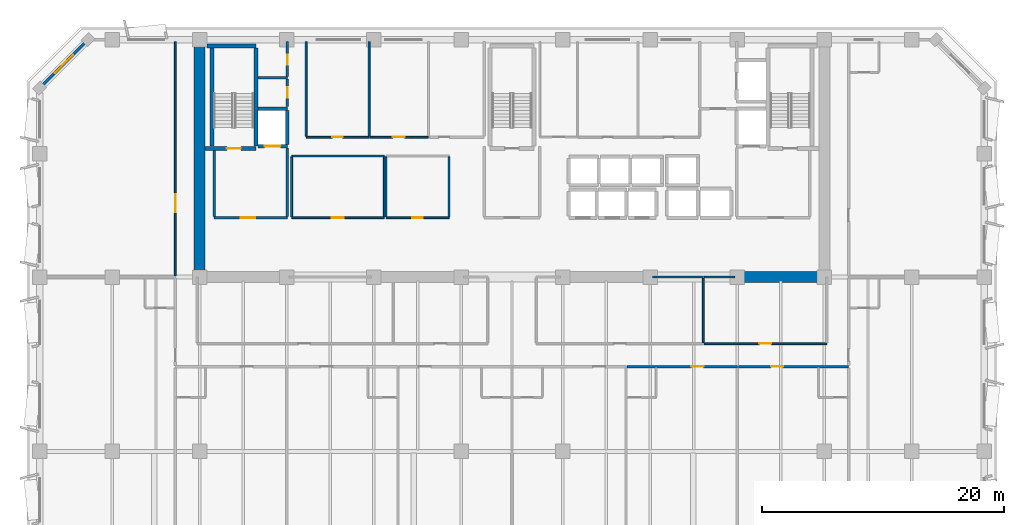
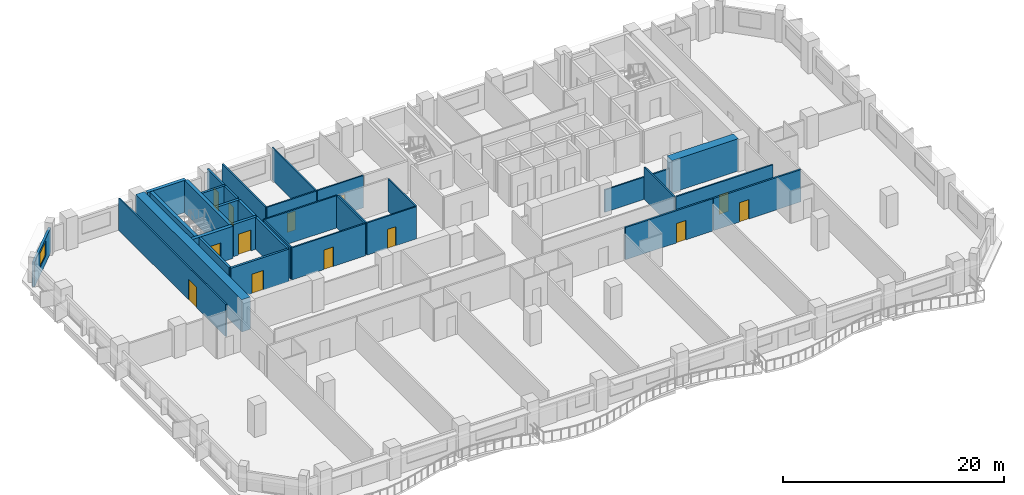
# One storey, part 6 of 14: 34 walls, 13 doors, 1 window, 14 openings.
"""IFC4 building model written with IfcOpenShell, lengths in metres."""

from ifc_helpers import new_model, si_unit, direction, frame, frame_2d, origin, place, context, subcontext, project, spatial, rectangle, extrude, material, layer, layer_set, type_object, element, fill, save


model = new_model("IFC4")

# Units and contexts
model_context = context("Model", 3, precision=1e-05, world=origin(), true_north=direction((0.0, 1.0)))
body_context = subcontext(model_context, "Body", "Model", "MODEL_VIEW")
ifc_project = project(units=[si_unit("LENGTHUNIT", "METRE"), si_unit("AREAUNIT", "SQUARE_METRE"), si_unit("VOLUMEUNIT", "CUBIC_METRE"), si_unit("PLANEANGLEUNIT", "RADIAN"), si_unit("MASSUNIT", "GRAM", prefix="KILO")], contexts=[model_context])

# Site, building, storey
site_placement = place(None, origin())
site = spatial("IfcSite", under=ifc_project, at=site_placement, CompositionType="ELEMENT")
building_placement = place(site_placement, origin())
building = spatial("IfcBuilding", under=site, at=building_placement, Name="Kaelvorn Grand Hotel", CompositionType="ELEMENT")
storey_placement = place(building_placement, frame((0.0, 0.0, 197.75)))
storey = spatial("IfcBuildingStorey", under=building, at=storey_placement, Name="L48", CompositionType="ELEMENT", Elevation=197.75)

# Walls
ifc_material_1 = material(Name="Concrete C60/75", Category="concrete")
ifc_layer_1 = layer(ifc_material_1, 0.89990234375)
ifc_layer_set_1 = layer_set([ifc_layer_1], Name="Concrete C60/75")
wall_type_1 = type_object("IfcWallType", Name="WL-CORE-900-C60", PredefinedType="SHEAR", material=ifc_layer_set_1)
wall_1_placement = place(storey_placement, frame((16.199951171875, 29.39990234375, 0.0), z_axis=(0.0, 0.0, 1.0), x_axis=(0.0, 1.0, 0.0)))
element("IfcWall", 1, at=wall_1_placement, inside=storey, type_object=wall_type_1, Name="L48 Rear-Core West Shear Wall", PredefinedType="SHEAR", context=body_context, shape_type="SweptSolid", body=[
    extrude(rectangle(XDim=19.2001953125, YDim=0.89990234375, at=frame_2d((9.60009765625, 0.0))), origin(), (0.0, 0.0, 1.0), 3.56005859375),
])
wall_2_placement = place(storey_placement, frame((60.39990234375, 29.39990234375, 0.0), z_axis=(0.0, 0.0, 1.0), x_axis=(1.0, 0.0, 0.0)))
element("IfcWall", 2, at=wall_2_placement, inside=storey, type_object=wall_type_1, Name="L48 Rear-Core Coupled Shear Pier S4", PredefinedType="SHEAR", context=body_context, shape_type="SweptSolid", body=[
    extrude(rectangle(XDim=6.945068359375, YDim=0.89990234375, at=frame_2d((3.47265625, 0.0))), origin(), (0.0, 0.0, 1.0), 3.56005859375),
])

# Wall, opening, window
ifc_material_2 = material(Name="Concrete C40/50", Category="concrete")
ifc_layer_2 = layer(ifc_material_2, 0.239990234375)
ifc_layer_set_2 = layer_set([ifc_layer_2], Name="Concrete C40/50")
wall_type_2 = type_object("IfcWallType", Name="WL-EXT-240-C40", PredefinedType="SOLIDWALL", material=ifc_layer_set_2)
wall_3_placement = place(storey_placement, frame((7.0, 49.0, 0.0), z_axis=(0.0, 0.0, 1.0), x_axis=(-0.707106781187, -0.707106781187, 0.0)))
wall_3 = element("IfcWall", 3, at=wall_3_placement, inside=storey, type_object=wall_type_2, Name="L48 Exterior Architectural Concrete Wall 06", PredefinedType="SOLIDWALL", context=body_context, shape_type="SweptSolid", body=[
    extrude(rectangle(XDim=5.65673828125, YDim=0.239990234375, at=frame_2d((2.828369140625, 0.0))), origin(), (0.0, 0.0, 1.0), 2.760009765625),
])
opening_1_placement = place(wall_3_placement, frame((1.7783203125, 0.0, 0.85009765625)))
opening_1 = element("IfcOpeningElement", 4, at=opening_1_placement, cuts=wall_3, Name="Opening W7", PredefinedType="OPENING", context=body_context, shape_type="SweptSolid", body=[
    extrude(rectangle(XDim=2.10009765625, YDim=1.60009765625, at=frame_2d((1.050048828125, 0.800048828125))), frame((0.0, 0.1298828125, 0.0), z_axis=(0.0, -1.0, 0.0), x_axis=(1.0, 0.0, 0.0)), (0.0, 0.0, 1.0), 0.260009765625),
])
ifc_material_3 = material(Name="Laminated Low-E Glass", Category="glass")
window_type = type_object("IfcWindowType", Name="WIN-CHM-2100x1600", PartitioningType="SINGLE_PANEL", PredefinedType="WINDOW", material=ifc_material_3)
window_placement = place(opening_1_placement, origin())
window = element("IfcWindow", 5, at=window_placement, inside=storey, type_object=window_type, Name="L48 Chamfered 45-Degree Corner Window NW", OverallHeight=1.60009765625, OverallWidth=2.10009765625, PartitioningType="SINGLE_PANEL", PredefinedType="WINDOW", context=body_context, shape_type="SweptSolid", body=[
    extrude(rectangle(XDim=2.10009765625, YDim=1.60009765625, at=frame_2d((1.050048828125, 0.800048828125))), frame((0.0, 0.030029296875, 0.0), z_axis=(0.0, -1.0, 0.0), x_axis=(1.0, 0.0, 0.0)), (0.0, 0.0, 1.0), 0.06005859375),
])
fill(opening_1, window)

# Wall, opening, door
ifc_material_4 = material(Name="Acoustic Gypsum & Stud Partition")
ifc_layer_3 = layer(ifc_material_4, 0.14990234375)
ifc_layer_set_3 = layer_set([ifc_layer_3], Name="Acoustic Gypsum & Stud Partition")
wall_type_3 = type_object("IfcWallType", Name="WL-PART-150-EI60", PredefinedType="PARTITIONING", material=ifc_layer_set_3)
wall_4_placement = place(storey_placement, frame((31.60009765625, 34.300048828125, 0.0), z_axis=(0.0, 0.0, 1.0), x_axis=(1.0, 0.0, 0.0)))
wall_4 = element("IfcWall", 6, at=wall_4_placement, inside=storey, type_object=wall_type_3, Name="L48 Core Telecoms & BMS Server Room S Partition", PredefinedType="PARTITIONING", context=body_context, shape_type="SweptSolid", body=[
    extrude(rectangle(XDim=5.199951171875, YDim=0.14990234375, at=frame_2d((2.60009765625, 0.0))), origin(), (0.0, 0.0, 1.0), 3.56005859375),
])
opening_2_placement = place(wall_4_placement, frame((2.175048828125, 0.0, 0.0)))
opening_2 = element("IfcOpeningElement", 7, at=opening_2_placement, cuts=wall_4, Name="Opening DI7", PredefinedType="OPENING", context=body_context, shape_type="SweptSolid", body=[
    extrude(rectangle(XDim=0.85009765625, YDim=2.10009765625, at=frame_2d((0.425048828125, 1.050048828125))), frame((0.0, 0.0849609375, 0.0), z_axis=(0.0, -1.0, 0.0), x_axis=(1.0, 0.0, 0.0)), (0.0, 0.0, 1.0), 0.169921875),
])
ifc_material_5 = material(Name="Powder-Coated Steel Leaf", Category="steel")
door_type_1 = type_object("IfcDoorType", Name="DR-INT-RISER-850x2100", OperationType="NOTDEFINED", PredefinedType="DOOR", material=ifc_material_5)
door_1_placement = place(opening_2_placement, origin())
door_1 = element("IfcDoor", 8, at=door_1_placement, inside=storey, type_object=door_type_1, Name="L48 Core Telecoms & BMS Server Room Door", OperationType="SINGLE_SWING_LEFT", OverallHeight=2.10009765625, OverallWidth=0.85009765625, PredefinedType="DOOR", context=body_context, shape_type="SweptSolid", body=[
    extrude(rectangle(XDim=0.85009765625, YDim=2.10009765625, at=frame_2d((0.425048828125, 1.050048828125))), frame((0.0, 0.02490234375, 0.0), z_axis=(0.0, -1.0, 0.0), x_axis=(1.0, 0.0, 0.0)), (0.0, 0.0, 1.0), 0.050048828125),
])
fill(opening_2, door_1)

# Walls
for number, where, z_axis, x_axis, name in (
    (9, (31.60009765625, 34.3798828125, 0.0), (0.0, 0.0, 1.0), (0.0, 1.0, 0.0), "L48 Core Telecoms & BMS Server Room W Partition"),
    (10, (36.800048828125, 34.3798828125, 0.0), (0.0, 0.0, 1.0), (0.0, 1.0, 0.0), "L48 Core Telecoms & BMS Server Room E Partition"),
):
    element("IfcWall", number, at=place(storey_placement, frame(where, z_axis=z_axis, x_axis=x_axis)), inside=storey, type_object=wall_type_3, Name=name, PredefinedType="PARTITIONING", context=body_context, shape_type="SweptSolid", body=[
        extrude(rectangle(XDim=4.940185546875, YDim=0.14990234375, at=frame_2d((2.47021484375, 0.0))), origin(), (0.0, 0.0, 1.0), 3.56005859375),
    ])

# Wall, opening, door
wall_5_placement = place(storey_placement, frame((23.800048828125, 34.300048828125, 0.0), z_axis=(0.0, 0.0, 1.0), x_axis=(1.0, 0.0, 0.0)))
wall_5 = element("IfcWall", 11, at=wall_5_placement, inside=storey, type_object=wall_type_3, Name="L48 Executive Club Sitting Lounge S Partition", PredefinedType="PARTITIONING", context=body_context, shape_type="SweptSolid", body=[
    extrude(rectangle(XDim=7.64990234375, YDim=0.14990234375, at=frame_2d((3.824951171875, 0.0))), origin(), (0.0, 0.0, 1.0), 3.56005859375),
])
opening_3_placement = place(wall_5_placement, frame((3.300048828125, 0.0, 0.0)))
opening_3 = element("IfcOpeningElement", 12, at=opening_3_placement, cuts=wall_5, Name="Opening DI3", PredefinedType="OPENING", context=body_context, shape_type="SweptSolid", body=[
    extrude(rectangle(XDim=1.0, YDim=2.14990234375, at=frame_2d((0.5, 1.074951171875))), frame((0.0, 0.0849609375, 0.0), z_axis=(0.0, -1.0, 0.0), x_axis=(1.0, 0.0, 0.0)), (0.0, 0.0, 1.0), 0.169921875),
])
ifc_material_6 = material(Name="Timber Veneer Fire Leaf", Category="wood")
door_type_2 = type_object("IfcDoorType", Name="DR-INT-GUEST-1000x2150", OperationType="NOTDEFINED", PredefinedType="DOOR", material=ifc_material_6)
door_2_placement = place(opening_3_placement, origin())
door_2 = element("IfcDoor", 13, at=door_2_placement, inside=storey, type_object=door_type_2, Name="L48 Executive Club Sitting Lounge Door", OperationType="SINGLE_SWING_RIGHT", OverallHeight=2.14990234375, OverallWidth=1.0, PredefinedType="DOOR", context=body_context, shape_type="SweptSolid", body=[
    extrude(rectangle(XDim=1.0, YDim=2.14990234375, at=frame_2d((0.5, 1.074951171875))), frame((0.0, 0.02490234375, 0.0), z_axis=(0.0, -1.0, 0.0), x_axis=(1.0, 0.0, 0.0)), (0.0, 0.0, 1.0), 0.050048828125),
])
fill(opening_3, door_2)

# Walls
wall_6_placement = place(storey_placement, frame((23.800048828125, 39.39990234375, 0.0), z_axis=(0.0, 0.0, 1.0), x_axis=(1.0, 0.0, 0.0)))
element("IfcWall", 14, at=wall_6_placement, inside=storey, type_object=wall_type_3, Name="L48 Executive Club Sitting Lounge N Partition", PredefinedType="PARTITIONING", context=body_context, shape_type="SweptSolid", body=[
    extrude(rectangle(XDim=7.64990234375, YDim=0.14990234375, at=frame_2d((3.824951171875, 0.0))), origin(), (0.0, 0.0, 1.0), 3.56005859375),
])
for number, where, z_axis, x_axis, name in (
    (15, (23.800048828125, 34.3798828125, 0.0), (0.0, 0.0, 1.0), (0.0, 1.0, 0.0), "L48 Executive Club Sitting Lounge W Partition"),
    (16, (31.449951171875, 34.3798828125, 0.0), (0.0, 0.0, 1.0), (0.0, 1.0, 0.0), "L48 Executive Club Sitting Lounge E Partition"),
):
    element("IfcWall", number, at=place(storey_placement, frame(where, z_axis=z_axis, x_axis=x_axis)), inside=storey, type_object=wall_type_3, Name=name, PredefinedType="PARTITIONING", context=body_context, shape_type="SweptSolid", body=[
        extrude(rectangle(XDim=4.940185546875, YDim=0.14990234375, at=frame_2d((2.47021484375, 0.0))), origin(), (0.0, 0.0, 1.0), 3.56005859375),
    ])

# Wall, opening, door
wall_7_placement = place(storey_placement, frame((25.0, 40.949951171875, 0.0), z_axis=(0.0, 0.0, 1.0), x_axis=(1.0, 0.0, 0.0)))
wall_7 = element("IfcWall", 17, at=wall_7_placement, inside=storey, type_object=wall_type_3, Name="L48 Housekeeping & Linen Room S Partition", PredefinedType="PARTITIONING", context=body_context, shape_type="SweptSolid", body=[
    extrude(rectangle(XDim=5.199951171875, YDim=0.14990234375, at=frame_2d((2.60009765625, 0.0))), origin(), (0.0, 0.0, 1.0), 3.56005859375),
])
opening_4_placement = place(wall_7_placement, frame((2.175048828125, 0.0, 0.0)))
opening_4 = element("IfcOpeningElement", 18, at=opening_4_placement, cuts=wall_7, Name="Opening DI7", PredefinedType="OPENING", context=body_context, shape_type="SweptSolid", body=[
    extrude(rectangle(XDim=0.85009765625, YDim=2.10009765625, at=frame_2d((0.425048828125, 1.050048828125))), frame((0.0, 0.0849609375, 0.0), z_axis=(0.0, -1.0, 0.0), x_axis=(1.0, 0.0, 0.0)), (0.0, 0.0, 1.0), 0.169921875),
])
door_3_placement = place(opening_4_placement, origin())
door_3 = element("IfcDoor", 19, at=door_3_placement, inside=storey, type_object=door_type_1, Name="L48 Housekeeping & Linen Room Door", OperationType="SINGLE_SWING_LEFT", OverallHeight=2.10009765625, OverallWidth=0.85009765625, PredefinedType="DOOR", context=body_context, shape_type="SweptSolid", body=[
    extrude(rectangle(XDim=0.85009765625, YDim=2.10009765625, at=frame_2d((0.425048828125, 1.050048828125))), frame((0.0, 0.02490234375, 0.0), z_axis=(0.0, -1.0, 0.0), x_axis=(1.0, 0.0, 0.0)), (0.0, 0.0, 1.0), 0.050048828125),
])
fill(opening_4, door_3)

# Walls
for number, where, z_axis, x_axis, name in (
    (20, (25.0, 41.030029296875, 0.0), (0.0, 0.0, 1.0), (0.0, 1.0, 0.0), "L48 Housekeeping & Linen Room W Partition"),
    (21, (30.199951171875, 41.030029296875, 0.0), (0.0, 0.0, 1.0), (0.0, 1.0, 0.0), "L48 Housekeeping & Linen Room E Partition"),
):
    element("IfcWall", number, at=place(storey_placement, frame(where, z_axis=z_axis, x_axis=x_axis)), inside=storey, type_object=wall_type_3, Name=name, PredefinedType="PARTITIONING", context=body_context, shape_type="SweptSolid", body=[
        extrude(rectangle(XDim=7.820068359375, YDim=0.14990234375, at=frame_2d((3.91015625, 0.0))), origin(), (0.0, 0.0, 1.0), 3.56005859375),
    ])

# Wall, opening, door
wall_8_placement = place(storey_placement, frame((30.280029296875, 40.949951171875, 0.0), z_axis=(0.0, 0.0, 1.0), x_axis=(1.0, 0.0, 0.0)))
wall_8 = element("IfcWall", 22, at=wall_8_placement, inside=storey, type_object=wall_type_3, Name="L48 Room Service Servery Pantry S Partition", PredefinedType="PARTITIONING", context=body_context, shape_type="SweptSolid", body=[
    extrude(rectangle(XDim=4.820068359375, YDim=0.14990234375, at=frame_2d((2.41015625, 0.0))), origin(), (0.0, 0.0, 1.0), 3.56005859375),
])
opening_5_placement = place(wall_8_placement, frame((1.8701171875, 0.0, 0.0)))
opening_5 = element("IfcOpeningElement", 23, at=opening_5_placement, cuts=wall_8, Name="Opening DI3", PredefinedType="OPENING", context=body_context, shape_type="SweptSolid", body=[
    extrude(rectangle(XDim=1.0, YDim=2.14990234375, at=frame_2d((0.5, 1.074951171875))), frame((0.0, 0.0849609375, 0.0), z_axis=(0.0, -1.0, 0.0), x_axis=(1.0, 0.0, 0.0)), (0.0, 0.0, 1.0), 0.169921875),
])
door_4_placement = place(opening_5_placement, origin())
door_4 = element("IfcDoor", 24, at=door_4_placement, inside=storey, type_object=door_type_2, Name="L48 Room Service Servery Pantry Door", OperationType="SINGLE_SWING_RIGHT", OverallHeight=2.14990234375, OverallWidth=1.0, PredefinedType="DOOR", context=body_context, shape_type="SweptSolid", body=[
    extrude(rectangle(XDim=1.0, YDim=2.14990234375, at=frame_2d((0.5, 1.074951171875))), frame((0.0, 0.02490234375, 0.0), z_axis=(0.0, -1.0, 0.0), x_axis=(1.0, 0.0, 0.0)), (0.0, 0.0, 1.0), 0.050048828125),
])
fill(opening_5, door_4)

# Walls
wall_9_placement = place(storey_placement, frame((53.610107421875, 29.39990234375, 0.0), z_axis=(0.0, 0.0, 1.0), x_axis=(1.0, 0.0, 0.0)))
element("IfcWall", 25, at=wall_9_placement, inside=storey, type_object=wall_type_3, Name="L48 Family Sitting Room N Partition (2)", PredefinedType="PARTITIONING", context=body_context, shape_type="SweptSolid", body=[
    extrude(rectangle(XDim=4.18994140625, YDim=0.14990234375, at=frame_2d((2.094970703125, 0.0))), origin(), (0.0, 0.0, 1.0), 2.4599609375),
])
wall_10_placement = place(storey_placement, frame((57.800048828125, 23.97998046875, 0.0), z_axis=(0.0, 0.0, 1.0), x_axis=(0.0, 1.0, 0.0)))
element("IfcWall", 26, at=wall_10_placement, inside=storey, type_object=wall_type_3, Name="L48 Family Sitting Room E Partition", PredefinedType="PARTITIONING", context=body_context, shape_type="SweptSolid", body=[
    extrude(rectangle(XDim=5.340087890625, YDim=0.14990234375, at=frame_2d((2.669921875, 0.0))), origin(), (0.0, 0.0, 1.0), 3.56005859375),
])

# Wall, opening, door
wall_11_placement = place(storey_placement, frame((57.8798828125, 23.89990234375, 0.0), z_axis=(0.0, 0.0, 1.0), x_axis=(1.0, 0.0, 0.0)))
wall_11 = element("IfcWall", 27, at=wall_11_placement, inside=storey, type_object=wall_type_3, Name="L48 VIP Dining Restaurant S Partition", PredefinedType="PARTITIONING", context=body_context, shape_type="SweptSolid", body=[
    extrude(rectangle(XDim=10.1201171875, YDim=0.14990234375, at=frame_2d((5.06005859375, 0.0))), origin(), (0.0, 0.0, 1.0), 3.56005859375),
])
opening_6_placement = place(wall_11_placement, frame((4.52001953125, 0.0, 0.0)))
opening_6 = element("IfcOpeningElement", 28, at=opening_6_placement, cuts=wall_11, Name="Opening DI3", PredefinedType="OPENING", context=body_context, shape_type="SweptSolid", body=[
    extrude(rectangle(XDim=1.0, YDim=2.14990234375, at=frame_2d((0.5, 1.074951171875))), frame((0.0, 0.0849609375, 0.0), z_axis=(0.0, -1.0, 0.0), x_axis=(1.0, 0.0, 0.0)), (0.0, 0.0, 1.0), 0.169921875),
])
door_5_placement = place(opening_6_placement, origin())
door_5 = element("IfcDoor", 29, at=door_5_placement, inside=storey, type_object=door_type_2, Name="L48 VIP Dining Restaurant Door", OperationType="SINGLE_SWING_RIGHT", OverallHeight=2.14990234375, OverallWidth=1.0, PredefinedType="DOOR", context=body_context, shape_type="SweptSolid", body=[
    extrude(rectangle(XDim=1.0, YDim=2.14990234375, at=frame_2d((0.5, 1.074951171875))), frame((0.0, 0.02490234375, 0.0), z_axis=(0.0, -1.0, 0.0), x_axis=(1.0, 0.0, 0.0)), (0.0, 0.0, 1.0), 0.050048828125),
])
fill(opening_6, door_5)

# Wall
wall_12_placement = place(storey_placement, frame((57.8798828125, 29.39990234375, 0.0), z_axis=(0.0, 0.0, 1.0), x_axis=(1.0, 0.0, 0.0)))
element("IfcWall", 30, at=wall_12_placement, inside=storey, type_object=wall_type_3, Name="L48 VIP Dining Restaurant N Partition", PredefinedType="PARTITIONING", context=body_context, shape_type="SweptSolid", body=[
    extrude(rectangle(XDim=2.510009765625, YDim=0.14990234375, at=frame_2d((1.2548828125, 0.0))), origin(), (0.0, 0.0, 1.0), 2.4599609375),
])

# Wall, opening, door
wall_13_placement = place(storey_placement, frame((14.199951171875, 29.4951171875, 0.0), z_axis=(0.0, 0.0, 1.0), x_axis=(0.0, 1.0, 0.0)))
wall_13 = element("IfcWall", 31, at=wall_13_placement, inside=storey, type_object=wall_type_3, Name="L48 North-West Family Sitting Room E Partition", PredefinedType="PARTITIONING", context=body_context, shape_type="SweptSolid", body=[
    extrude(rectangle(XDim=19.35498046875, YDim=0.14990234375, at=frame_2d((9.677490234375, 0.0))), origin(), (0.0, 0.0, 1.0), 3.56005859375),
])
opening_7_placement = place(wall_13_placement, frame((5.2548828125, 0.0, 0.0)))
opening_7 = element("IfcOpeningElement", 32, at=opening_7_placement, cuts=wall_13, Name="Opening DI5", PredefinedType="OPENING", context=body_context, shape_type="SweptSolid", body=[
    extrude(rectangle(XDim=1.5, YDim=2.25, at=frame_2d((0.75, 1.125))), frame((0.0, 0.0849609375, 0.0), z_axis=(0.0, -1.0, 0.0), x_axis=(1.0, 0.0, 0.0)), (0.0, 0.0, 1.0), 0.169921875),
])
door_type_3 = type_object("IfcDoorType", Name="DR-INT-SALON-1500x2250", OperationType="DOUBLE_DOOR_SINGLE_SWING", PredefinedType="DOOR", material=ifc_material_6)
door_6_placement = place(opening_7_placement, origin())
door_6 = element("IfcDoor", 33, at=door_6_placement, inside=storey, type_object=door_type_3, Name="L48 North-West Family Sitting Room Door", OperationType="DOUBLE_DOOR_SINGLE_SWING", OverallHeight=2.25, OverallWidth=1.5, PredefinedType="DOOR", context=body_context, shape_type="SweptSolid", body=[
    extrude(rectangle(XDim=1.5, YDim=2.25, at=frame_2d((0.75, 1.125))), frame((0.0, 0.02490234375, 0.0), z_axis=(0.0, -1.0, 0.0), x_axis=(1.0, 0.0, 0.0)), (0.0, 0.0, 1.0), 0.050048828125),
])
fill(opening_7, door_6)

ifc_layer_4 = layer(ifc_material_4, 0.179931640625)
ifc_layer_set_4 = layer_set([ifc_layer_4], Name="Acoustic Gypsum & Stud Partition")
wall_type_4 = type_object("IfcWallType", Name="WL-PART-180-EI60", PredefinedType="PARTITIONING", material=ifc_layer_set_4)
wall_14_placement = place(storey_placement, frame((51.504150390625, 22.0, 0.0), z_axis=(0.0, 0.0, 1.0), x_axis=(1.0, 0.0, 0.0)))
wall_14 = element("IfcWall", 34, at=wall_14_placement, inside=storey, type_object=wall_type_4, Name="L48 Mid-Rise Signature Suite L48-05 N Partition", PredefinedType="PARTITIONING", context=body_context, shape_type="SweptSolid", body=[
    extrude(rectangle(XDim=9.100341796875, YDim=0.179931640625, at=frame_2d((4.55029296875, 0.0))), origin(), (0.0, 0.0, 1.0), 3.56005859375),
])
opening_8_placement = place(wall_14_placement, frame((5.310302734375, 0.0, 0.0)))
opening_8 = element("IfcOpeningElement", 35, at=opening_8_placement, cuts=wall_14, Name="Opening DI3", PredefinedType="OPENING", context=body_context, shape_type="SweptSolid", body=[
    extrude(rectangle(XDim=1.0, YDim=2.14990234375, at=frame_2d((0.5, 1.074951171875))), frame((0.0, 0.10009765625, 0.0), z_axis=(0.0, -1.0, 0.0), x_axis=(1.0, 0.0, 0.0)), (0.0, 0.0, 1.0), 0.199951171875),
])
door_7_placement = place(opening_8_placement, origin())
door_7 = element("IfcDoor", 36, at=door_7_placement, inside=storey, type_object=door_type_2, Name="L48 Mid-Rise Signature Suite L48-05 Door", OperationType="SINGLE_SWING_LEFT", OverallHeight=2.14990234375, OverallWidth=1.0, PredefinedType="DOOR", context=body_context, shape_type="SweptSolid", body=[
    extrude(rectangle(XDim=1.0, YDim=2.14990234375, at=frame_2d((0.5, 1.074951171875))), frame((0.0, 0.02490234375, 0.0), z_axis=(0.0, -1.0, 0.0), x_axis=(1.0, 0.0, 0.0)), (0.0, 0.0, 1.0), 0.050048828125),
])
fill(opening_8, door_7)

wall_15_placement = place(storey_placement, frame((60.69970703125, 22.0, 0.0), z_axis=(0.0, 0.0, 1.0), x_axis=(1.0, 0.0, 0.0)))
wall_15 = element("IfcWall", 37, at=wall_15_placement, inside=storey, type_object=wall_type_4, Name="L48 Mid-Rise Signature Suite L48-06 N Partition", PredefinedType="PARTITIONING", context=body_context, shape_type="SweptSolid", body=[
    extrude(rectangle(XDim=9.100341796875, YDim=0.179931640625, at=frame_2d((4.55029296875, 0.0))), origin(), (0.0, 0.0, 1.0), 3.56005859375),
])
opening_9_placement = place(wall_15_placement, frame((2.6904296875, 0.0, 0.0)))
opening_9 = element("IfcOpeningElement", 38, at=opening_9_placement, cuts=wall_15, Name="Opening DI3", PredefinedType="OPENING", context=body_context, shape_type="SweptSolid", body=[
    extrude(rectangle(XDim=1.0, YDim=2.14990234375, at=frame_2d((0.5, 1.074951171875))), frame((0.0, 0.10009765625, 0.0), z_axis=(0.0, -1.0, 0.0), x_axis=(1.0, 0.0, 0.0)), (0.0, 0.0, 1.0), 0.199951171875),
])
door_8_placement = place(opening_9_placement, origin())
door_8 = element("IfcDoor", 39, at=door_8_placement, inside=storey, type_object=door_type_2, Name="L48 Mid-Rise Signature Suite L48-06 Door", OperationType="SINGLE_SWING_LEFT", OverallHeight=2.14990234375, OverallWidth=1.0, PredefinedType="DOOR", context=body_context, shape_type="SweptSolid", body=[
    extrude(rectangle(XDim=1.0, YDim=2.14990234375, at=frame_2d((0.5, 1.074951171875))), frame((0.0, 0.02490234375, 0.0), z_axis=(0.0, -1.0, 0.0), x_axis=(1.0, 0.0, 0.0)), (0.0, 0.0, 1.0), 0.050048828125),
])
fill(opening_9, door_8)

ifc_layer_5 = layer(ifc_material_2, 0.219970703125)
ifc_layer_set_5 = layer_set([ifc_layer_5], Name="Concrete C40/50")
wall_type_5 = type_object("IfcWallType", Name="WL-PART-220-EI120", PredefinedType="PARTITIONING", material=ifc_layer_set_5)
wall_16_placement = place(storey_placement, frame((17.39990234375, 34.300048828125, 0.0), z_axis=(0.0, 0.0, 1.0), x_axis=(1.0, 0.0, 0.0)))
wall_16 = element("IfcWall", 40, at=wall_16_placement, inside=storey, type_object=wall_type_5, Name="L48 Firefighting Lift Lobby 1 S Partition", PredefinedType="PARTITIONING", context=body_context, shape_type="SweptSolid", body=[
    extrude(rectangle(XDim=6.050048828125, YDim=0.219970703125, at=frame_2d((3.02490234375, 0.0))), origin(), (0.0, 0.0, 1.0), 3.56005859375),
])
opening_10_placement = place(wall_16_placement, frame((2.199951171875, 0.0, 0.0)))
opening_10 = element("IfcOpeningElement", 41, at=opening_10_placement, cuts=wall_16, Name="Opening DI2", PredefinedType="OPENING", context=body_context, shape_type="SweptSolid", body=[
    extrude(rectangle(XDim=1.199951171875, YDim=2.14990234375, at=frame_2d((0.60009765625, 1.074951171875))), frame((0.0, 0.1201171875, 0.0), z_axis=(0.0, -1.0, 0.0), x_axis=(1.0, 0.0, 0.0)), (0.0, 0.0, 1.0), 0.239990234375),
])
door_type_4 = type_object("IfcDoorType", Name="DR-INT-FFLOB-1200x2150", OperationType="NOTDEFINED", PredefinedType="DOOR", material=ifc_material_6)
door_9_placement = place(opening_10_placement, origin())
door_9 = element("IfcDoor", 42, at=door_9_placement, inside=storey, type_object=door_type_4, Name="L48 Firefighting Lift Lobby 1 Door", OperationType="SINGLE_SWING_LEFT", OverallHeight=2.14990234375, OverallWidth=1.199951171875, PredefinedType="DOOR", context=body_context, shape_type="SweptSolid", body=[
    extrude(rectangle(XDim=1.199951171875, YDim=2.14990234375, at=frame_2d((0.60009765625, 1.074951171875))), frame((0.0, 0.02490234375, 0.0), z_axis=(0.0, -1.0, 0.0), x_axis=(1.0, 0.0, 0.0)), (0.0, 0.0, 1.0), 0.050048828125),
])
fill(opening_10, door_9)

# Walls
wall_17_placement = place(storey_placement, frame((17.39990234375, 34.4150390625, 0.0), z_axis=(0.0, 0.0, 1.0), x_axis=(0.0, 1.0, 0.0)))
element("IfcWall", 43, at=wall_17_placement, inside=storey, type_object=wall_type_5, Name="L48 Firefighting Lift Lobby 1 W Partition", PredefinedType="PARTITIONING", context=body_context, shape_type="SweptSolid", body=[
    extrude(rectangle(XDim=5.429931640625, YDim=0.219970703125, at=frame_2d((2.71484375, 0.0))), origin(), (0.0, 0.0, 1.0), 3.56005859375),
])
wall_18_placement = place(storey_placement, frame((23.449951171875, 34.4150390625, 0.0), z_axis=(0.0, 0.0, 1.0), x_axis=(0.0, 1.0, 0.0)))
element("IfcWall", 44, at=wall_18_placement, inside=storey, type_object=wall_type_5, Name="L48 Firefighting Lift Lobby 1 E Partition", PredefinedType="PARTITIONING", context=body_context, shape_type="SweptSolid", body=[
    extrude(rectangle(XDim=5.639892578125, YDim=0.219970703125, at=frame_2d((2.81982421875, 0.0))), origin(), (0.0, 0.0, 1.0), 3.56005859375),
])
wall_19_placement = place(storey_placement, frame((21.034912109375, 45.85009765625, 0.0), z_axis=(0.0, 0.0, 1.0), x_axis=(1.0, 0.0, 0.0)))
element("IfcWall", 45, at=wall_19_placement, inside=storey, type_object=wall_type_5, Name="L48 Wet Fire & Plumbing Riser Shaft N Partition", PredefinedType="PARTITIONING", context=body_context, shape_type="SweptSolid", body=[
    extrude(rectangle(XDim=2.4150390625, YDim=0.219970703125, at=frame_2d((1.20751953125, 0.0))), origin(), (0.0, 0.0, 1.0), 3.56005859375),
])

# Wall, opening, door
wall_20_placement = place(storey_placement, frame((23.449951171875, 43.5, 0.0), z_axis=(0.0, 0.0, 1.0), x_axis=(0.0, 1.0, 0.0)))
wall_20 = element("IfcWall", 46, at=wall_20_placement, inside=storey, type_object=wall_type_5, Name="L48 Wet Fire & Plumbing Riser Shaft E Partition", PredefinedType="PARTITIONING", context=body_context, shape_type="SweptSolid", body=[
    extrude(rectangle(XDim=2.235107421875, YDim=0.219970703125, at=frame_2d((1.11767578125, 0.0))), origin(), (0.0, 0.0, 1.0), 3.56005859375),
])
opening_11_placement = place(wall_20_placement, frame((0.72509765625, 0.0, 0.0)))
opening_11 = element("IfcOpeningElement", 47, at=opening_11_placement, cuts=wall_20, Name="Opening DI7", PredefinedType="OPENING", context=body_context, shape_type="SweptSolid", body=[
    extrude(rectangle(XDim=0.85009765625, YDim=2.10009765625, at=frame_2d((0.425048828125, 1.050048828125))), frame((0.0, 0.1201171875, 0.0), z_axis=(0.0, -1.0, 0.0), x_axis=(1.0, 0.0, 0.0)), (0.0, 0.0, 1.0), 0.239990234375),
])
door_10_placement = place(opening_11_placement, origin())
door_10 = element("IfcDoor", 48, at=door_10_placement, inside=storey, type_object=door_type_1, Name="L48 Wet Fire & Plumbing Riser Shaft Door", OperationType="SINGLE_SWING_LEFT", OverallHeight=2.10009765625, OverallWidth=0.85009765625, PredefinedType="DOOR", context=body_context, shape_type="SweptSolid", body=[
    extrude(rectangle(XDim=0.85009765625, YDim=2.10009765625, at=frame_2d((0.425048828125, 1.050048828125))), frame((0.0, 0.02490234375, 0.0), z_axis=(0.0, -1.0, 0.0), x_axis=(1.0, 0.0, 0.0)), (0.0, 0.0, 1.0), 0.050048828125),
])
fill(opening_11, door_10)

wall_21_placement = place(storey_placement, frame((23.449951171875, 45.965087890625, 0.0), z_axis=(0.0, 0.0, 1.0), x_axis=(0.0, 1.0, 0.0)))
wall_21 = element("IfcWall", 49, at=wall_21_placement, inside=storey, type_object=wall_type_5, Name="L48 HV Electrical & Smoke Riser E Partition", PredefinedType="PARTITIONING", context=body_context, shape_type="SweptSolid", body=[
    extrude(rectangle(XDim=2.885009765625, YDim=0.219970703125, at=frame_2d((1.4423828125, 0.0))), origin(), (0.0, 0.0, 1.0), 3.56005859375),
])
opening_12_placement = place(wall_21_placement, frame((0.9599609375, 0.0, 0.0)))
opening_12 = element("IfcOpeningElement", 50, at=opening_12_placement, cuts=wall_21, Name="Opening DI7", PredefinedType="OPENING", context=body_context, shape_type="SweptSolid", body=[
    extrude(rectangle(XDim=0.85009765625, YDim=2.10009765625, at=frame_2d((0.425048828125, 1.050048828125))), frame((0.0, 0.1201171875, 0.0), z_axis=(0.0, -1.0, 0.0), x_axis=(1.0, 0.0, 0.0)), (0.0, 0.0, 1.0), 0.239990234375),
])
door_11_placement = place(opening_12_placement, origin())
door_11 = element("IfcDoor", 51, at=door_11_placement, inside=storey, type_object=door_type_1, Name="L48 HV Electrical & Smoke Riser Door", OperationType="SINGLE_SWING_RIGHT", OverallHeight=2.10009765625, OverallWidth=0.85009765625, PredefinedType="DOOR", context=body_context, shape_type="SweptSolid", body=[
    extrude(rectangle(XDim=0.85009765625, YDim=2.10009765625, at=frame_2d((0.425048828125, 1.050048828125))), frame((0.0, 0.02490234375, 0.0), z_axis=(0.0, -1.0, 0.0), x_axis=(1.0, 0.0, 0.0)), (0.0, 0.0, 1.0), 0.050048828125),
])
fill(opening_12, door_11)

ifc_material_7 = material(Name="Concrete C50/60", Category="concrete")
ifc_layer_6 = layer(ifc_material_7, 0.280029296875)
ifc_layer_set_6 = layer_set([ifc_layer_6], Name="Concrete C50/60")
wall_type_6 = type_object("IfcWallType", Name="WL-SHAFT-280-C50", PredefinedType="SHEAR", material=ifc_layer_set_6)
wall_22_placement = place(storey_placement, frame((21.034912109375, 40.199951171875, 0.0), z_axis=(0.0, 0.0, 1.0), x_axis=(1.0, 0.0, 0.0)))
wall_22 = element("IfcWall", 52, at=wall_22_placement, inside=storey, type_object=wall_type_6, Name="L48 Lift FFL1 Shaft South Wall", PredefinedType="SHEAR", context=body_context, shape_type="SweptSolid", body=[
    extrude(rectangle(XDim=2.4150390625, YDim=0.280029296875, at=frame_2d((1.20751953125, 0.0))), origin(), (0.0, 0.0, 1.0), 3.56005859375),
])
opening_13_placement = place(wall_22_placement, frame((0.5400390625, 0.0, 0.0)))
opening_13 = element("IfcOpeningElement", 53, at=opening_13_placement, cuts=wall_22, Name="Opening LD-FFL1", PredefinedType="OPENING", context=body_context, shape_type="SweptSolid", body=[
    extrude(rectangle(XDim=1.300048828125, YDim=2.300048828125, at=frame_2d((0.64990234375, 1.14990234375))), frame((0.0, 0.14990234375, 0.0), z_axis=(0.0, -1.0, 0.0), x_axis=(1.0, 0.0, 0.0)), (0.0, 0.0, 1.0), 0.300048828125),
])
ifc_material_8 = material(Name="Stainless Steel", Category="steel")
door_type_5 = type_object("IfcDoorType", Name="DR-LIFT-SERV-1300x2300", OperationType="DOUBLE_DOOR_SLIDING", PredefinedType="DOOR", material=ifc_material_8)
door_12_placement = place(opening_13_placement, origin())
door_12 = element("IfcDoor", 54, at=door_12_placement, inside=storey, type_object=door_type_5, Name="L48 Lift FFL1 Sliding Landing Door LD-FFL1", OperationType="DOUBLE_DOOR_SLIDING", OverallHeight=2.300048828125, OverallWidth=1.300048828125, PredefinedType="DOOR", context=body_context, shape_type="SweptSolid", body=[
    extrude(rectangle(XDim=1.300048828125, YDim=2.300048828125, at=frame_2d((0.64990234375, 1.14990234375))), frame((0.0, 0.02490234375, 0.0), z_axis=(0.0, -1.0, 0.0), x_axis=(1.0, 0.0, 0.0)), (0.0, 0.0, 1.0), 0.050048828125),
])
fill(opening_13, door_12)

# Walls
wall_23_placement = place(storey_placement, frame((21.034912109375, 43.300048828125, 0.0), z_axis=(0.0, 0.0, 1.0), x_axis=(1.0, 0.0, 0.0)))
element("IfcWall", 55, at=wall_23_placement, inside=storey, type_object=wall_type_6, Name="L48 Lift FFL1 Shaft North Wall", PredefinedType="SHEAR", context=body_context, shape_type="SweptSolid", body=[
    extrude(rectangle(XDim=2.4150390625, YDim=0.280029296875, at=frame_2d((1.20751953125, 0.0))), origin(), (0.0, 0.0, 1.0), 3.56005859375),
])
wall_24_placement = place(storey_placement, frame((23.449951171875, 40.344970703125, 0.0), z_axis=(0.0, 0.0, 1.0), x_axis=(0.0, 1.0, 0.0)))
element("IfcWall", 56, at=wall_24_placement, inside=storey, type_object=wall_type_6, Name="L48 Lift FFL1 Shaft East Wall", PredefinedType="SHEAR", context=body_context, shape_type="SweptSolid", body=[
    extrude(rectangle(XDim=2.81005859375, YDim=0.280029296875, at=frame_2d((1.405029296875, 0.0))), origin(), (0.0, 0.0, 1.0), 3.56005859375),
])

# Wall, opening, door
ifc_layer_7 = layer(ifc_material_1, 0.35009765625)
ifc_layer_set_7 = layer_set([ifc_layer_7], Name="Concrete C60/75")
wall_type_7 = type_object("IfcWallType", Name="WL-SHAFT-350-C60", PredefinedType="SHEAR", material=ifc_layer_set_7)
wall_25_placement = place(storey_placement, frame((16.655029296875, 40.02490234375, 0.0), z_axis=(0.0, 0.0, 1.0), x_axis=(1.0, 0.0, 0.0)))
wall_25 = element("IfcWall", 57, at=wall_25_placement, inside=storey, type_object=wall_type_7, Name="L48 ST1 Stair Shaft South Wall", PredefinedType="SHEAR", context=body_context, shape_type="SweptSolid", body=[
    extrude(rectangle(XDim=4.199951171875, YDim=0.35009765625, at=frame_2d((2.10009765625, 0.0))), origin(), (0.0, 0.0, 1.0), 3.56005859375),
])
opening_14_placement = place(wall_25_placement, frame((1.81005859375, 0.0, 0.0)))
opening_14 = element("IfcOpeningElement", 58, at=opening_14_placement, cuts=wall_25, Name="Opening DI1", PredefinedType="OPENING", context=body_context, shape_type="SweptSolid", body=[
    extrude(rectangle(XDim=1.14990234375, YDim=2.14990234375, at=frame_2d((0.574951171875, 1.074951171875))), frame((0.0, 0.18505859375, 0.0), z_axis=(0.0, -1.0, 0.0), x_axis=(1.0, 0.0, 0.0)), (0.0, 0.0, 1.0), 0.3701171875),
])
door_type_6 = type_object("IfcDoorType", Name="DR-INT-STAIR-1150x2150", OperationType="NOTDEFINED", PredefinedType="DOOR", material=ifc_material_6)
door_13_placement = place(opening_14_placement, origin())
door_13 = element("IfcDoor", 59, at=door_13_placement, inside=storey, type_object=door_type_6, Name="L48 ST1 Exit Stair Fire Door", OperationType="SINGLE_SWING_RIGHT", OverallHeight=2.14990234375, OverallWidth=1.14990234375, PredefinedType="DOOR", context=body_context, shape_type="SweptSolid", body=[
    extrude(rectangle(XDim=1.14990234375, YDim=2.14990234375, at=frame_2d((0.574951171875, 1.074951171875))), frame((0.0, 0.02490234375, 0.0), z_axis=(0.0, -1.0, 0.0), x_axis=(1.0, 0.0, 0.0)), (0.0, 0.0, 1.0), 0.050048828125),
])
fill(opening_14, door_13)

# Walls
wall_26_placement = place(storey_placement, frame((16.804931640625, 48.47509765625, 0.0), z_axis=(0.0, 0.0, 1.0), x_axis=(1.0, 0.0, 0.0)))
element("IfcWall", 60, at=wall_26_placement, inside=storey, type_object=wall_type_7, Name="L48 ST1 Stair Shaft North Wall", PredefinedType="SHEAR", context=body_context, shape_type="SweptSolid", body=[
    extrude(rectangle(XDim=4.050048828125, YDim=0.35009765625, at=frame_2d((2.02490234375, 0.0))), origin(), (0.0, 0.0, 1.0), 3.56005859375),
])
for number, where, z_axis, x_axis, name in (
    (61, (17.22509765625, 40.205078125, 0.0), (0.0, 0.0, 1.0), (0.0, 1.0, 0.0), "L48 ST1 Stair Shaft West Wall"),
    (62, (20.85498046875, 40.205078125, 0.0), (0.0, 0.0, 1.0), (0.0, 1.0, 0.0), "L48 ST1 Stair Shaft East Wall"),
):
    element("IfcWall", number, at=place(storey_placement, frame(where, z_axis=z_axis, x_axis=x_axis)), inside=storey, type_object=wall_type_7, Name=name, PredefinedType="SHEAR", context=body_context, shape_type="SweptSolid", body=[
        extrude(rectangle(XDim=8.08984375, YDim=0.35009765625, at=frame_2d((4.044921875, 0.0))), origin(), (0.0, 0.0, 1.0), 3.56005859375),
    ])

save(model, "model.ifc")
